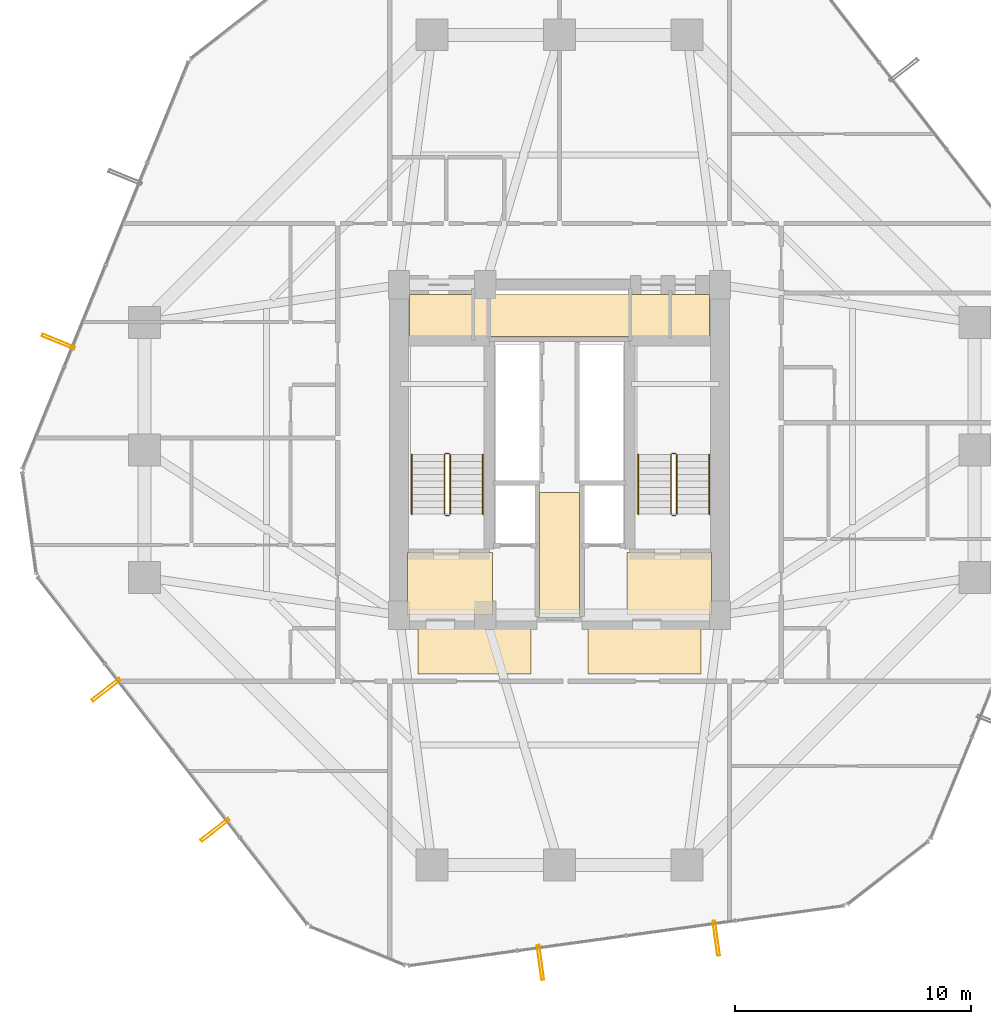
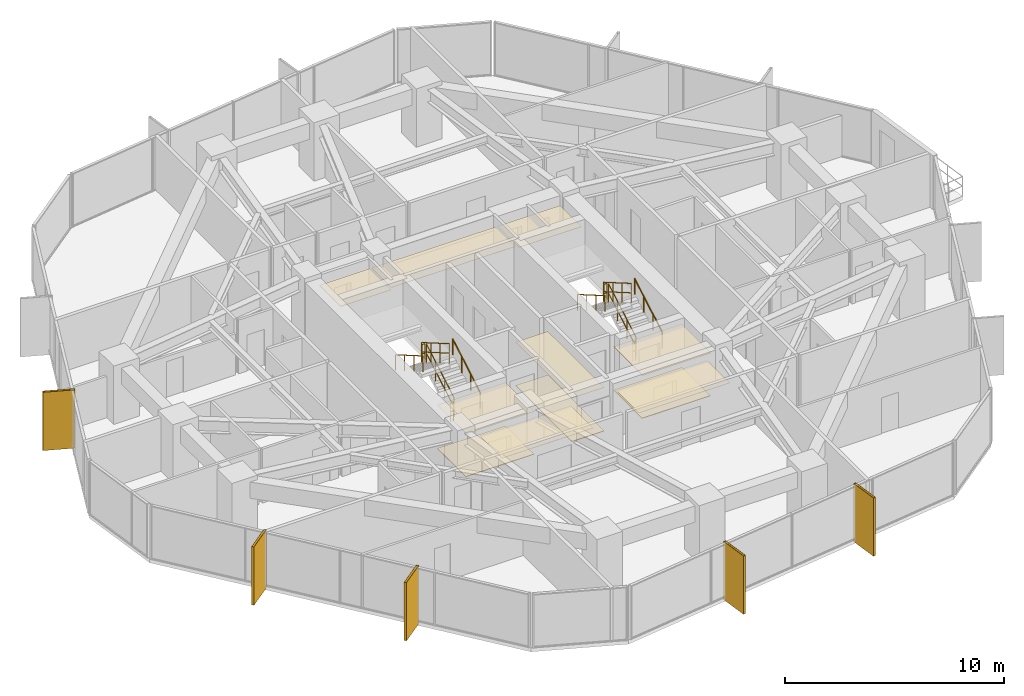
# One storey, part 36 of 37: 12 railings, 11 coverings, 5 shading devices.
"""IFC4 building model written with IfcOpenShell, lengths in metres."""

from ifc_helpers import new_model, si_unit, direction, frame, origin, origin_2d, place, context, subcontext, project, spatial, polyline, hollow_rectangle, circle, outline, extrude, material, layer, layer_set, material_profile, profile_set, type_object, element, save


model = new_model("IFC4")

# Units and contexts
model_context = context("Model", 3, precision=1e-05, world=origin(), true_north=direction((0.0, 1.0)))
body_context = subcontext(model_context, "Body", "Model", "MODEL_VIEW")
ifc_project = project(units=[si_unit("LENGTHUNIT", "METRE"), si_unit("AREAUNIT", "SQUARE_METRE"), si_unit("VOLUMEUNIT", "CUBIC_METRE"), si_unit("PLANEANGLEUNIT", "RADIAN"), si_unit("MASSUNIT", "GRAM", prefix="KILO")], contexts=[model_context])

# Site, building, storey
site_placement = place(None, origin())
site = spatial("IfcSite", under=ifc_project, at=site_placement, CompositionType="ELEMENT")
building_placement = place(site_placement, origin())
building = spatial("IfcBuilding", under=site, at=building_placement, Name="Veraguas Prism Commons", CompositionType="ELEMENT")
storey_placement = place(building_placement, frame((0.0, 0.0, 50.050048828125)))
storey = spatial("IfcBuildingStorey", under=building, at=storey_placement, Name="L13", CompositionType="ELEMENT", Elevation=50.050048828125)

# Shading devices
ifc_material_1 = material(Name="Anodised aluminium EN AW-6063 T6", Category="aluminium")
ifc_material_profile = material_profile(ifc_material_1, hollow_rectangle(XDim=0.1201171875, YDim=1.489990234375, WallThickness=0.006103515625, at=origin_2d()), Name="FIN120X1490X6")
ifc_profile_set = profile_set([ifc_material_profile], Name="Anodised aluminium EN AW-6063 T6")
shading_device_type = type_object("IfcShadingDeviceType", Name="Deep Pale-Metal Vertical Solar Fin 120x1490", PredefinedType="USERDEFINED", material=ifc_profile_set)
for number, where, z_axis, x_axis, name in (
    (1, (2.75341796875, 28.592529296875, -0.22998046875), (0.0, 0.0, 1.0), (-0.377194315187, -0.926134141791, 0.0), "Vertical Pale-Metal Solar Fin L13-F3B"),
    (2, (4.78515625, 13.836181640625, -0.22998046875), (0.0, 0.0, 1.0), (0.613459914842, -0.789725859322, 0.0), "Vertical Pale-Metal Solar Fin L13-F4A"),
    (3, (9.3994140625, 7.896240234375, -0.22998046875), (0.0, 0.0, 1.0), (0.613459914842, -0.789725859322, 0.0), "Vertical Pale-Metal Solar Fin L13-F4B"),
    (4, (23.19482421875, 2.277587890625, -0.22998046875), (0.0, 0.0, 1.0), (0.990652613619, 0.136408940795, 0.0), "Vertical Pale-Metal Solar Fin L13-F5A"),
    (5, (30.64599609375, 3.303466796875, -0.22998046875), (0.0, 0.0, 1.0), (0.990652613619, 0.136408940795, 0.0), "Vertical Pale-Metal Solar Fin L13-F5B"),
):
    element("IfcShadingDevice", number, at=place(storey_placement, frame(where, z_axis=z_axis, x_axis=x_axis)), inside=storey, type_object=shading_device_type, Name=name, ObjectType="FIN", PredefinedType="USERDEFINED", context=body_context, shape_type="SweptSolid", body=[
        extrude(hollow_rectangle(XDim=0.1201171875, YDim=1.489990234375, WallThickness=0.006103515625, at=origin_2d()), origin(), (0.0, 0.0, 1.0), 3.25),
    ])

# Coverings
ifc_material_2 = material(Name="Acoustic gypsum board")
ifc_layer_1 = layer(ifc_material_2, 0.02490234375, Name="Perforated Acoustic Ceiling Tile 25")
ifc_layer_set_1 = layer_set([ifc_layer_1], Name="Acoustic gypsum board")
covering_type_1 = type_object("IfcCoveringType", Name="Perforated Acoustic Ceiling Tile 25", PredefinedType="USERDEFINED", material=ifc_layer_set_1)
covering_1_placement = place(storey_placement, frame((0.0, 0.0, 2.425048828125)))
element("IfcCovering", 6, at=covering_1_placement, inside=storey, type_object=covering_type_1, Name="East Lobby Acoustic Ceiling L13", ObjectType="ACOUSTIC CEILING", PredefinedType="USERDEFINED", context=body_context, shape_type="SweptSolid", body=[
    extrude(outline(polyline([(26.85009765625, 17.0), (30.449951171875, 17.0), (30.449951171875, 19.64990234375), (26.85009765625, 19.64990234375), (26.85009765625, 17.0)])), origin(), (0.0, 0.0, 1.0), 0.02490234375),
])
ifc_material_3 = material(Name="Terrazzo stone finish", Category="masonry")
ifc_layer_2 = layer(ifc_material_3, 0.030029296875, Name="Polished Terrazzo Floor Finish 30", Category="masonry")
ifc_layer_set_2 = layer_set([ifc_layer_2], Name="Terrazzo stone finish")
covering_type_2 = type_object("IfcCoveringType", Name="Polished Terrazzo Floor Finish 30", PredefinedType="FLOORING", material=ifc_layer_set_2)
covering_2_placement = place(storey_placement, origin())
element("IfcCovering", 7, at=covering_2_placement, inside=storey, type_object=covering_type_2, Name="Terrazzo Lobby Flooring L13", PredefinedType="FLOORING", context=body_context, shape_type="SweptSolid", body=[
    extrude(outline(polyline([(23.14990234375, 17.050048828125), (24.85009765625, 17.050048828125), (24.85009765625, 22.199951171875), (23.14990234375, 22.199951171875), (23.14990234375, 17.050048828125)])), origin(), (0.0, 0.0, 1.0), 0.030029296875),
])
covering_3_placement = place(storey_placement, origin())
element("IfcCovering", 8, at=covering_3_placement, inside=storey, type_object=covering_type_2, Name="West FF Lobby Terrazzo Flooring L13", PredefinedType="FLOORING", context=body_context, shape_type="SweptSolid", body=[
    extrude(outline(polyline([(17.550048828125, 17.050048828125), (21.14990234375, 17.050048828125), (21.14990234375, 19.64990234375), (17.550048828125, 19.64990234375), (17.550048828125, 17.050048828125)])), origin(), (0.0, 0.0, 1.0), 0.030029296875),
])
covering_4_placement = place(storey_placement, origin())
element("IfcCovering", 9, at=covering_4_placement, inside=storey, type_object=covering_type_2, Name="East FF Lobby Terrazzo Flooring L13", PredefinedType="FLOORING", context=body_context, shape_type="SweptSolid", body=[
    extrude(outline(polyline([(26.85009765625, 17.050048828125), (30.449951171875, 17.050048828125), (30.449951171875, 19.64990234375), (26.85009765625, 19.64990234375), (26.85009765625, 17.050048828125)])), origin(), (0.0, 0.0, 1.0), 0.030029296875),
])

# Railings
ifc_material_4 = material(Name="Stainless steel AISI 316", Category="steel")
railing_type_1 = type_object("IfcRailingType", Name="Stair and Ramp Stainless Handrail 900", PredefinedType="HANDRAIL", material=ifc_material_4)
railing_1_placement = place(storey_placement, frame((20.75, 21.280029296875, 0.162353515625)))
element("IfcRailing", 10, at=railing_1_placement, inside=storey, type_object=railing_type_1, Name="Stair Handrail ST-01 L13-1", PredefinedType="HANDRAIL", context=body_context, shape_type="SweptSolid", body=[
    extrude(circle(Radius=0.02392578125, at=origin_2d()), frame((0.0, 0.0, 0.8759765625), z_axis=(0.0, 0.864876961378, 0.501983905795), x_axis=(-1.0, 0.0, 0.0)), (0.0, 0.0, 1.0), 2.913818359375),
    extrude(circle(Radius=0.02099609375, at=origin_2d()), origin(), (0.0, 0.0, 1.0), 0.851806640625),
    extrude(circle(Radius=0.02099609375, at=origin_2d()), frame((0.0, 0.840087890625, 0.487548828125)), (0.0, 0.0, 1.0), 0.851806640625),
    extrude(circle(Radius=0.02099609375, at=origin_2d()), frame((0.0, 1.679931640625, 0.97509765625)), (0.0, 0.0, 1.0), 0.851806640625),
    extrude(circle(Radius=0.02099609375, at=origin_2d()), frame((0.0, 2.52001953125, 1.462646484375)), (0.0, 0.0, 1.0), 0.851806640625),
])
railing_2_placement = place(storey_placement, frame((17.739990234375, 23.800048828125, 1.787353515625)))
element("IfcRailing", 11, at=railing_2_placement, inside=storey, type_object=railing_type_1, Name="Stair Handrail ST-01 L13-2", PredefinedType="HANDRAIL", context=body_context, shape_type="SweptSolid", body=[
    extrude(circle(Radius=0.02392578125, at=origin_2d()), frame((0.0, 0.0, 0.8759765625), z_axis=(0.0, -0.864876961378, 0.501983905795), x_axis=(1.0, 0.0, 0.0)), (0.0, 0.0, 1.0), 2.913818359375),
    extrude(circle(Radius=0.02099609375, at=origin_2d()), origin(), (0.0, 0.0, 1.0), 0.851806640625),
    extrude(circle(Radius=0.02099609375, at=origin_2d()), frame((0.0, -0.840087890625, 0.487548828125)), (0.0, 0.0, 1.0), 0.851806640625),
    extrude(circle(Radius=0.02099609375, at=origin_2d()), frame((0.0, -1.679931640625, 0.97509765625)), (0.0, 0.0, 1.0), 0.851806640625),
    extrude(circle(Radius=0.02099609375, at=origin_2d()), frame((0.0, -2.52001953125, 1.462646484375)), (0.0, 0.0, 1.0), 0.851806640625),
])
railing_3_placement = place(storey_placement, frame((30.35009765625, 21.280029296875, 0.162353515625)))
element("IfcRailing", 12, at=railing_3_placement, inside=storey, type_object=railing_type_1, Name="Stair Handrail ST-02 L13-1", PredefinedType="HANDRAIL", context=body_context, shape_type="SweptSolid", body=[
    extrude(circle(Radius=0.02392578125, at=origin_2d()), frame((0.0, 0.0, 0.8759765625), z_axis=(0.0, 0.864876961378, 0.501983905795), x_axis=(-1.0, 0.0, 0.0)), (0.0, 0.0, 1.0), 2.913818359375),
    extrude(circle(Radius=0.02099609375, at=origin_2d()), origin(), (0.0, 0.0, 1.0), 0.851806640625),
    extrude(circle(Radius=0.02099609375, at=origin_2d()), frame((0.0, 0.840087890625, 0.487548828125)), (0.0, 0.0, 1.0), 0.851806640625),
    extrude(circle(Radius=0.02099609375, at=origin_2d()), frame((0.0, 1.679931640625, 0.97509765625)), (0.0, 0.0, 1.0), 0.851806640625),
    extrude(circle(Radius=0.02099609375, at=origin_2d()), frame((0.0, 2.52001953125, 1.462646484375)), (0.0, 0.0, 1.0), 0.851806640625),
])
railing_4_placement = place(storey_placement, frame((27.340087890625, 23.800048828125, 1.787353515625)))
element("IfcRailing", 13, at=railing_4_placement, inside=storey, type_object=railing_type_1, Name="Stair Handrail ST-02 L13-2", PredefinedType="HANDRAIL", context=body_context, shape_type="SweptSolid", body=[
    extrude(circle(Radius=0.02392578125, at=origin_2d()), frame((0.0, 0.0, 0.8759765625), z_axis=(0.0, -0.864876961378, 0.501983905795), x_axis=(1.0, 0.0, 0.0)), (0.0, 0.0, 1.0), 2.913818359375),
    extrude(circle(Radius=0.02099609375, at=origin_2d()), origin(), (0.0, 0.0, 1.0), 0.851806640625),
    extrude(circle(Radius=0.02099609375, at=origin_2d()), frame((0.0, -0.840087890625, 0.487548828125)), (0.0, 0.0, 1.0), 0.851806640625),
    extrude(circle(Radius=0.02099609375, at=origin_2d()), frame((0.0, -1.679931640625, 0.97509765625)), (0.0, 0.0, 1.0), 0.851806640625),
    extrude(circle(Radius=0.02099609375, at=origin_2d()), frame((0.0, -2.52001953125, 1.462646484375)), (0.0, 0.0, 1.0), 0.851806640625),
])
railing_type_2 = type_object("IfcRailingType", Name="Stairwell Safety Guardrail 1100", PredefinedType="GUARDRAIL", material=ifc_material_4)
railing_5_placement = place(storey_placement, frame((19.3701171875, 21.280029296875, 0.162353515625)))
element("IfcRailing", 14, at=railing_5_placement, inside=storey, type_object=railing_type_2, Name="Stair Guard ST-01 L13-1", PredefinedType="GUARDRAIL", context=body_context, shape_type="SweptSolid", body=[
    extrude(circle(Radius=0.02392578125, at=origin_2d()), frame((0.0, 0.0, 1.076171875), z_axis=(0.0, 0.864876961378, 0.501983905795), x_axis=(-1.0, 0.0, 0.0)), (0.0, 0.0, 1.0), 2.913818359375),
    extrude(circle(Radius=0.02392578125, at=origin_2d()), frame((0.0, 0.0, 0.550048828125), z_axis=(0.0, 0.864876961378, 0.501983905795), x_axis=(-1.0, 0.0, 0.0)), (0.0, 0.0, 1.0), 2.913818359375),
    extrude(circle(Radius=0.02099609375, at=origin_2d()), origin(), (0.0, 0.0, 1.0), 1.052001953125),
    extrude(circle(Radius=0.02099609375, at=origin_2d()), frame((0.0, 0.840087890625, 0.487548828125)), (0.0, 0.0, 1.0), 1.052001953125),
    extrude(circle(Radius=0.02099609375, at=origin_2d()), frame((0.0, 1.679931640625, 0.97509765625)), (0.0, 0.0, 1.0), 1.052001953125),
    extrude(circle(Radius=0.02099609375, at=origin_2d()), frame((0.0, 2.52001953125, 1.462646484375)), (0.0, 0.0, 1.0), 1.052001953125),
])
railing_6_placement = place(storey_placement, frame((19.320068359375, 23.85009765625, 1.625)))
element("IfcRailing", 15, at=railing_6_placement, inside=storey, type_object=railing_type_2, Name="Stair Guard ST-01 L13-2", PredefinedType="GUARDRAIL", context=body_context, shape_type="SweptSolid", body=[
    extrude(circle(Radius=0.02392578125, at=origin_2d()), frame((0.0, 0.0, 1.076171875), z_axis=(-1.0, 0.0, 0.0), x_axis=(0.0, -1.0, 0.0)), (0.0, 0.0, 1.0), 0.150146484375),
    extrude(circle(Radius=0.02392578125, at=origin_2d()), frame((0.0, 0.0, 0.550048828125), z_axis=(-1.0, 0.0, 0.0), x_axis=(0.0, -1.0, 0.0)), (0.0, 0.0, 1.0), 0.150146484375),
    extrude(circle(Radius=0.02099609375, at=origin_2d()), origin(), (0.0, 0.0, 1.0), 1.052001953125),
    extrude(circle(Radius=0.02099609375, at=origin_2d()), frame((-0.150146484375, 0.0, 0.0)), (0.0, 0.0, 1.0), 1.052001953125),
])
railing_7_placement = place(storey_placement, frame((19.1201171875, 23.800048828125, 1.787353515625)))
element("IfcRailing", 16, at=railing_7_placement, inside=storey, type_object=railing_type_2, Name="Stair Guard ST-01 L13-3", PredefinedType="GUARDRAIL", context=body_context, shape_type="SweptSolid", body=[
    extrude(circle(Radius=0.02392578125, at=origin_2d()), frame((0.0, 0.0, 1.076171875), z_axis=(0.0, -0.864876961378, 0.501983905795), x_axis=(1.0, 0.0, 0.0)), (0.0, 0.0, 1.0), 2.913818359375),
    extrude(circle(Radius=0.02392578125, at=origin_2d()), frame((0.0, 0.0, 0.550048828125), z_axis=(0.0, -0.864876961378, 0.501983905795), x_axis=(1.0, 0.0, 0.0)), (0.0, 0.0, 1.0), 2.913818359375),
    extrude(circle(Radius=0.02099609375, at=origin_2d()), origin(), (0.0, 0.0, 1.0), 1.052001953125),
    extrude(circle(Radius=0.02099609375, at=origin_2d()), frame((0.0, -0.840087890625, 0.487548828125)), (0.0, 0.0, 1.0), 1.052001953125),
    extrude(circle(Radius=0.02099609375, at=origin_2d()), frame((0.0, -1.679931640625, 0.97509765625)), (0.0, 0.0, 1.0), 1.052001953125),
    extrude(circle(Radius=0.02099609375, at=origin_2d()), frame((0.0, -2.52001953125, 1.462646484375)), (0.0, 0.0, 1.0), 1.052001953125),
])
railing_8_placement = place(storey_placement, frame((19.320068359375, 21.22998046875, 0.0)))
element("IfcRailing", 17, at=railing_8_placement, inside=storey, type_object=railing_type_2, Name="Stair Guard ST-01 L13-4", PredefinedType="GUARDRAIL", context=body_context, shape_type="SweptSolid", body=[
    extrude(circle(Radius=0.02392578125, at=origin_2d()), frame((0.0, 0.0, 1.076171875), z_axis=(-1.0, 0.0, 0.0), x_axis=(0.0, -1.0, 0.0)), (0.0, 0.0, 1.0), 0.150146484375),
    extrude(circle(Radius=0.02392578125, at=origin_2d()), frame((0.0, 0.0, 0.550048828125), z_axis=(-1.0, 0.0, 0.0), x_axis=(0.0, -1.0, 0.0)), (0.0, 0.0, 1.0), 0.150146484375),
    extrude(circle(Radius=0.02099609375, at=origin_2d()), origin(), (0.0, 0.0, 1.0), 1.052001953125),
    extrude(circle(Radius=0.02099609375, at=origin_2d()), frame((-0.150146484375, 0.0, 0.0)), (0.0, 0.0, 1.0), 1.052001953125),
])
railing_9_placement = place(storey_placement, frame((28.969970703125, 21.280029296875, 0.162353515625)))
element("IfcRailing", 18, at=railing_9_placement, inside=storey, type_object=railing_type_2, Name="Stair Guard ST-02 L13-1", PredefinedType="GUARDRAIL", context=body_context, shape_type="SweptSolid", body=[
    extrude(circle(Radius=0.02392578125, at=origin_2d()), frame((0.0, 0.0, 1.076171875), z_axis=(0.0, 0.864876961378, 0.501983905795), x_axis=(-1.0, 0.0, 0.0)), (0.0, 0.0, 1.0), 2.913818359375),
    extrude(circle(Radius=0.02392578125, at=origin_2d()), frame((0.0, 0.0, 0.550048828125), z_axis=(0.0, 0.864876961378, 0.501983905795), x_axis=(-1.0, 0.0, 0.0)), (0.0, 0.0, 1.0), 2.913818359375),
    extrude(circle(Radius=0.02099609375, at=origin_2d()), origin(), (0.0, 0.0, 1.0), 1.052001953125),
    extrude(circle(Radius=0.02099609375, at=origin_2d()), frame((0.0, 0.840087890625, 0.487548828125)), (0.0, 0.0, 1.0), 1.052001953125),
    extrude(circle(Radius=0.02099609375, at=origin_2d()), frame((0.0, 1.679931640625, 0.97509765625)), (0.0, 0.0, 1.0), 1.052001953125),
    extrude(circle(Radius=0.02099609375, at=origin_2d()), frame((0.0, 2.52001953125, 1.462646484375)), (0.0, 0.0, 1.0), 1.052001953125),
])
railing_10_placement = place(storey_placement, frame((28.919921875, 23.85009765625, 1.625)))
element("IfcRailing", 19, at=railing_10_placement, inside=storey, type_object=railing_type_2, Name="Stair Guard ST-02 L13-2", PredefinedType="GUARDRAIL", context=body_context, shape_type="SweptSolid", body=[
    extrude(circle(Radius=0.02392578125, at=origin_2d()), frame((0.0, 0.0, 1.076171875), z_axis=(-1.0, 0.0, 0.0), x_axis=(0.0, -1.0, 0.0)), (0.0, 0.0, 1.0), 0.14990234375),
    extrude(circle(Radius=0.02392578125, at=origin_2d()), frame((0.0, 0.0, 0.550048828125), z_axis=(-1.0, 0.0, 0.0), x_axis=(0.0, -1.0, 0.0)), (0.0, 0.0, 1.0), 0.14990234375),
    extrude(circle(Radius=0.02099609375, at=origin_2d()), origin(), (0.0, 0.0, 1.0), 1.052001953125),
    extrude(circle(Radius=0.02099609375, at=origin_2d()), frame((-0.14990234375, 0.0, 0.0)), (0.0, 0.0, 1.0), 1.052001953125),
])
railing_11_placement = place(storey_placement, frame((28.719970703125, 23.800048828125, 1.787353515625)))
element("IfcRailing", 20, at=railing_11_placement, inside=storey, type_object=railing_type_2, Name="Stair Guard ST-02 L13-3", PredefinedType="GUARDRAIL", context=body_context, shape_type="SweptSolid", body=[
    extrude(circle(Radius=0.02392578125, at=origin_2d()), frame((0.0, 0.0, 1.076171875), z_axis=(0.0, -0.864876961378, 0.501983905795), x_axis=(1.0, 0.0, 0.0)), (0.0, 0.0, 1.0), 2.913818359375),
    extrude(circle(Radius=0.02392578125, at=origin_2d()), frame((0.0, 0.0, 0.550048828125), z_axis=(0.0, -0.864876961378, 0.501983905795), x_axis=(1.0, 0.0, 0.0)), (0.0, 0.0, 1.0), 2.913818359375),
    extrude(circle(Radius=0.02099609375, at=origin_2d()), origin(), (0.0, 0.0, 1.0), 1.052001953125),
    extrude(circle(Radius=0.02099609375, at=origin_2d()), frame((0.0, -0.840087890625, 0.487548828125)), (0.0, 0.0, 1.0), 1.052001953125),
    extrude(circle(Radius=0.02099609375, at=origin_2d()), frame((0.0, -1.679931640625, 0.97509765625)), (0.0, 0.0, 1.0), 1.052001953125),
    extrude(circle(Radius=0.02099609375, at=origin_2d()), frame((0.0, -2.52001953125, 1.462646484375)), (0.0, 0.0, 1.0), 1.052001953125),
])
railing_12_placement = place(storey_placement, frame((28.919921875, 21.22998046875, 0.0)))
element("IfcRailing", 21, at=railing_12_placement, inside=storey, type_object=railing_type_2, Name="Stair Guard ST-02 L13-4", PredefinedType="GUARDRAIL", context=body_context, shape_type="SweptSolid", body=[
    extrude(circle(Radius=0.02392578125, at=origin_2d()), frame((0.0, 0.0, 1.076171875), z_axis=(-1.0, 0.0, 0.0), x_axis=(0.0, -1.0, 0.0)), (0.0, 0.0, 1.0), 0.14990234375),
    extrude(circle(Radius=0.02392578125, at=origin_2d()), frame((0.0, 0.0, 0.550048828125), z_axis=(-1.0, 0.0, 0.0), x_axis=(0.0, -1.0, 0.0)), (0.0, 0.0, 1.0), 0.14990234375),
    extrude(circle(Radius=0.02099609375, at=origin_2d()), origin(), (0.0, 0.0, 1.0), 1.052001953125),
    extrude(circle(Radius=0.02099609375, at=origin_2d()), frame((-0.14990234375, 0.0, 0.0)), (0.0, 0.0, 1.0), 1.052001953125),
])

# Coverings
ifc_layer_3 = layer(ifc_material_2, 0.02001953125, Name="Suspended Gypsum Ceiling 20")
ifc_layer_set_3 = layer_set([ifc_layer_3], Name="Acoustic gypsum board")
covering_type_3 = type_object("IfcCoveringType", Name="Suspended Gypsum Ceiling 20", PredefinedType="CEILING", material=ifc_layer_set_3)
covering_5_placement = place(storey_placement, frame((0.0, 0.0, 2.429931640625)))
element("IfcCovering", 22, at=covering_5_placement, inside=storey, type_object=covering_type_3, Name="West Lobby Suspended Gypsum Ceiling L13", PredefinedType="CEILING", context=body_context, shape_type="SweptSolid", body=[
    extrude(outline(polyline([(17.550048828125, 17.0), (21.14990234375, 17.0), (21.14990234375, 19.64990234375), (17.550048828125, 19.64990234375), (17.550048828125, 17.0)])), origin(), (0.0, 0.0, 1.0), 0.02001953125),
])
covering_6_placement = place(storey_placement, frame((0.0, 0.0, 2.429931640625)))
element("IfcCovering", 23, at=covering_6_placement, inside=storey, type_object=covering_type_3, Name="Core Lobby Acoustic Ceiling L13-1", PredefinedType="CEILING", context=body_context, shape_type="SweptSolid", body=[
    extrude(outline(polyline([(18.0, 14.5), (22.800048828125, 14.5), (22.800048828125, 16.550048828125), (18.0, 16.550048828125), (18.0, 14.5)])), origin(), (0.0, 0.0, 1.0), 0.02001953125),
])
covering_7_placement = place(storey_placement, frame((0.0, 0.0, 2.429931640625)))
element("IfcCovering", 24, at=covering_7_placement, inside=storey, type_object=covering_type_3, Name="Core Lobby Acoustic Ceiling L13-2", PredefinedType="CEILING", context=body_context, shape_type="SweptSolid", body=[
    extrude(outline(polyline([(25.199951171875, 14.5), (30.0, 14.5), (30.0, 16.550048828125), (25.199951171875, 16.550048828125), (25.199951171875, 14.5)])), origin(), (0.0, 0.0, 1.0), 0.02001953125),
])
covering_8_placement = place(storey_placement, frame((0.0, 0.0, 2.429931640625)))
element("IfcCovering", 25, at=covering_8_placement, inside=storey, type_object=covering_type_3, Name="Core Lobby Acoustic Ceiling L13-3", PredefinedType="CEILING", context=body_context, shape_type="SweptSolid", body=[
    extrude(outline(polyline([(23.14990234375, 17.050048828125), (24.85009765625, 17.050048828125), (24.85009765625, 22.199951171875), (23.14990234375, 22.199951171875), (23.14990234375, 17.050048828125)])), origin(), (0.0, 0.0, 1.0), 0.02001953125),
])
covering_9_placement = place(storey_placement, frame((0.0, 0.0, 2.429931640625)))
element("IfcCovering", 26, at=covering_9_placement, inside=storey, type_object=covering_type_3, Name="Core Lobby Acoustic Ceiling L13-4", PredefinedType="CEILING", context=body_context, shape_type="SweptSolid", body=[
    extrude(outline(polyline([(17.64990234375, 28.64990234375), (20.300048828125, 28.64990234375), (20.300048828125, 30.60009765625), (17.64990234375, 30.60009765625), (17.64990234375, 28.64990234375)])), origin(), (0.0, 0.0, 1.0), 0.02001953125),
])
covering_10_placement = place(storey_placement, frame((0.0, 0.0, 2.429931640625)))
element("IfcCovering", 27, at=covering_10_placement, inside=storey, type_object=covering_type_3, Name="Core Lobby Acoustic Ceiling L13-5", PredefinedType="CEILING", context=body_context, shape_type="SweptSolid", body=[
    extrude(outline(polyline([(27.050048828125, 28.64990234375), (30.35009765625, 28.64990234375), (30.35009765625, 30.60009765625), (27.050048828125, 30.60009765625), (27.050048828125, 28.64990234375)])), origin(), (0.0, 0.0, 1.0), 0.02001953125),
])
covering_11_placement = place(storey_placement, frame((0.0, 0.0, 2.429931640625)))
element("IfcCovering", 28, at=covering_11_placement, inside=storey, type_object=covering_type_3, Name="Core Lobby Acoustic Ceiling L13-6", PredefinedType="CEILING", context=body_context, shape_type="SweptSolid", body=[
    extrude(outline(polyline([(20.39990234375, 28.800048828125), (26.949951171875, 28.800048828125), (26.949951171875, 30.60009765625), (20.39990234375, 30.60009765625), (20.39990234375, 28.800048828125)])), origin(), (0.0, 0.0, 1.0), 0.02001953125),
])

save(model, "model.ifc")
